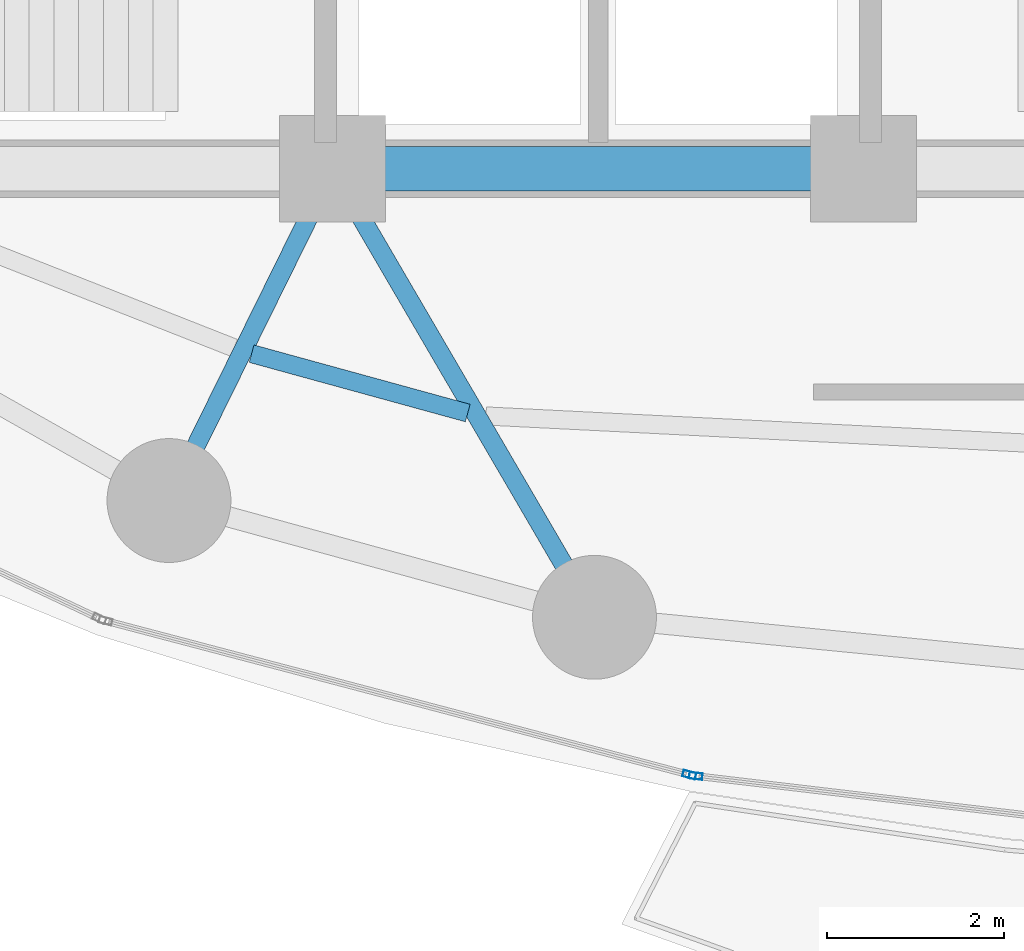
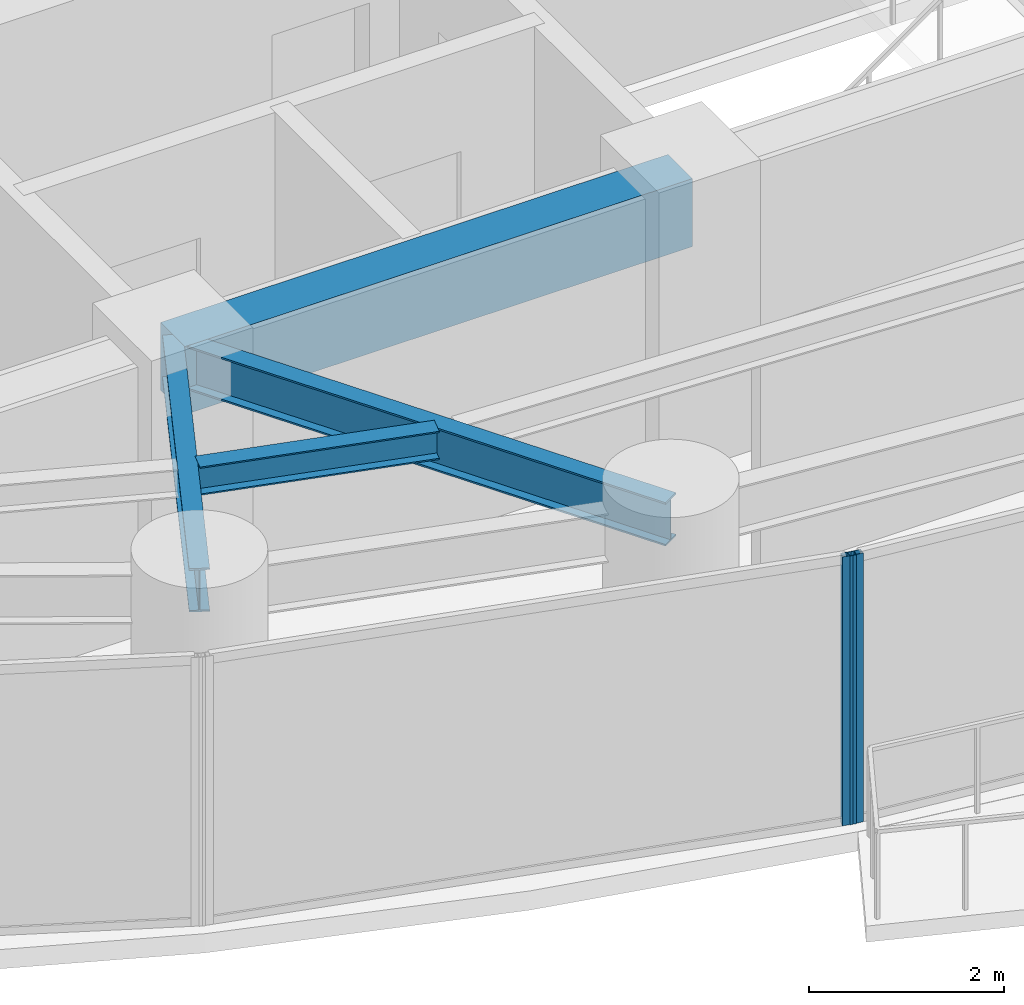
# One storey, part 5 of 31: 4 beams, 2 members, 2 elements without a shape of their own.
"""IFC4 building model written with IfcOpenShell, lengths in metres."""

import ifcopenshell
import ifcopenshell.guid

model = None  # the IFC model being written
_history = None  # IfcOwnerHistory: only IFC2X3 demands one
_inside = {}  # id of a spatial element -> (the spatial element, [elements in it])
_under = {}  # id of a project, library or spatial element -> (it, [spatial elements below it])
_declared = {}  # id of a project -> (the project, [libraries it declares])
_typed = {}  # id of a type object -> (the type object, [elements of that type])
_made_of = {}  # id of a material, layer set ... -> (it, [elements and type objects made of it])


def new_model(schema):
    """Start an empty IFC model of exactly this schema.

    Asked for "IFC4X3", IfcOpenShell would pick the latest addendum, in which some entities
    have other attributes; the version numbers below select the first issue.
    IFC2X3 requires an IfcOwnerHistory on every rooted entity: one is made here for all.
    """
    global model, _history
    if schema == "IFC4X3":
        model = ifcopenshell.file(schema_version=(4, 3, 0, 0))
    else:
        model = ifcopenshell.file(schema=schema)
    _inside.clear()
    _under.clear()
    _declared.clear()
    _typed.clear()
    _made_of.clear()
    _history = None
    if model.schema == "IFC2X3":
        org = make("IfcOrganization", Name="unknown")
        user = make(
            "IfcPersonAndOrganization",
            ThePerson=make("IfcPerson", FamilyName="unknown"),
            TheOrganization=org,
        )
        app = make(
            "IfcApplication",
            ApplicationDeveloper=org,
            Version="unknown",
            ApplicationFullName="unknown",
            ApplicationIdentifier="unknown",
        )
        _history = make(
            "IfcOwnerHistory",
            OwningUser=user,
            OwningApplication=app,
            ChangeAction="ADDED",
            CreationDate=0,
        )
    return model


def make(cls, **values):
    """One entity of the class cls with the attributes given. An attribute that is None is left unset."""
    return model.create_entity(
        cls, **{name: value for name, value in values.items() if value is not None}
    )


def rooted(cls, **values):
    """An entity with a GlobalId (a new one), such as an element, a storey or a relation."""
    return make(cls, GlobalId=ifcopenshell.guid.new(), OwnerHistory=_history, **values)


def si_unit(unit_type, name, prefix=None):
    """IfcSIUnit, for example si_unit("LENGTHUNIT", "METRE", prefix="MILLI")."""
    return make("IfcSIUnit", UnitType=unit_type, Prefix=prefix, Name=name)


def assignment(units):
    """IfcUnitAssignment: the units of a project."""
    return None if units is None else make("IfcUnitAssignment", Units=units)


def point(xyz):
    """IfcCartesianPoint."""
    return None if xyz is None else make("IfcCartesianPoint", Coordinates=xyz)


def direction(xyz):
    """IfcDirection."""
    return None if xyz is None else make("IfcDirection", DirectionRatios=xyz)


def frame(location, z_axis=None, x_axis=None):
    """IfcAxis2Placement3D, a coordinate frame: its origin and axes. An axis left out is left unset."""
    return make(
        "IfcAxis2Placement3D",
        Location=point(location),
        Axis=direction(z_axis),
        RefDirection=direction(x_axis),
    )


def frame_2d(location, x_axis=None):
    """IfcAxis2Placement2D, a coordinate frame in the plane: its origin and x axis."""
    return make(
        "IfcAxis2Placement2D", Location=point(location), RefDirection=direction(x_axis)
    )


def origin():
    """The frame at (0, 0, 0) with its axes left unset."""
    return frame((0.0, 0.0, 0.0))


def origin_2d():
    """The frame at (0, 0) in the plane with its x axis left unset."""
    return frame_2d((0.0, 0.0))


def place(relative_to, where):
    """IfcLocalPlacement: puts the frame where relative to a parent placement (None: the world)."""
    return make(
        "IfcLocalPlacement", PlacementRelTo=relative_to, RelativePlacement=where
    )


def context(
    kind, dimensions, precision=None, world=None, true_north=None, identifier=None
):
    """IfcGeometricRepresentationContext, for example the 3D "Model" context."""
    return make(
        "IfcGeometricRepresentationContext",
        ContextIdentifier=identifier,
        ContextType=kind,
        CoordinateSpaceDimension=dimensions,
        Precision=precision,
        WorldCoordinateSystem=world,
        TrueNorth=true_north,
    )


def subcontext(parent, identifier, kind, view, scale=None):
    """IfcGeometricRepresentationSubContext, for example "Body" below "Model"."""
    return make(
        "IfcGeometricRepresentationSubContext",
        ContextIdentifier=identifier,
        ContextType=kind,
        ParentContext=parent,
        TargetScale=scale,
        TargetView=view,
    )


def project(units=None, contexts=None):
    """IfcProject with its units and contexts."""
    return rooted(
        "IfcProject",
        Name="project",
        RepresentationContexts=contexts,
        UnitsInContext=assignment(units),
    )


def spatial(cls, under=None, at=None, **own):
    """A site, building, storey or space (cls), placed at a placement, below another one or the project."""
    s = rooted(cls, ObjectPlacement=at, **own)
    if under is not None:
        _under.setdefault(under.id(), (under, []))[1].append(s)
    return s


def profile(cls, at=None, kind="AREA", **sizes):
    """A parametric profile (cls). Its sizes go by their IFC names, for example OverallWidth=200.0."""
    return make(cls, ProfileType=kind, Position=at, **sizes)


def rectangle(**sizes):
    """IfcRectangleProfileDef."""
    return profile("IfcRectangleProfileDef", **sizes)


def hollow_rectangle(**sizes):
    """IfcRectangleHollowProfileDef."""
    return profile("IfcRectangleHollowProfileDef", **sizes)


def i_section(**sizes):
    """IfcIShapeProfileDef."""
    return profile("IfcIShapeProfileDef", **sizes)


def extrude(swept, where, along, depth):
    """IfcExtrudedAreaSolid: the profile swept, set in the frame where, extruded along a direction by depth."""
    return make(
        "IfcExtrudedAreaSolid",
        SweptArea=swept,
        Position=where,
        ExtrudedDirection=direction(along),
        Depth=depth,
    )


def shape(context_of_items, identifier, shape_type, items):
    """IfcShapeRepresentation: the items that make up one representation, for example the "Body"."""
    return make(
        "IfcShapeRepresentation",
        ContextOfItems=context_of_items,
        RepresentationIdentifier=identifier,
        RepresentationType=shape_type,
        Items=items,
    )


def material(Name=None, Category=None):
    """IfcMaterial."""
    return make("IfcMaterial", Name=Name, Category=Category)


def layer(
    of_material, thickness, ventilated=None, Name=None, Category=None, Priority=None
):
    """IfcMaterialLayer: one layer of a wall or slab, of a material (None: an air gap)."""
    return make(
        "IfcMaterialLayer",
        Material=of_material,
        LayerThickness=thickness,
        IsVentilated=ventilated,
        Name=Name,
        Category=Category,
        Priority=Priority,
    )


def layer_set(layers, Name=None):
    """IfcMaterialLayerSet."""
    return make("IfcMaterialLayerSet", MaterialLayers=layers, LayerSetName=Name)


def material_profile(
    of_material, cross_section, Name=None, Category=None, Priority=None
):
    """IfcMaterialProfile: a cross section and its material."""
    return make(
        "IfcMaterialProfile",
        Name=Name,
        Material=of_material,
        Profile=cross_section,
        Priority=Priority,
        Category=Category,
    )


def profile_set(profiles, Name=None, composite=None):
    """IfcMaterialProfileSet."""
    return make(
        "IfcMaterialProfileSet",
        Name=Name,
        MaterialProfiles=profiles,
        CompositeProfile=composite,
    )


def made_of(thing, what):
    """Note that an element or type object is made of a material, layer set ...; save() writes the relation."""
    if what is not None:
        _made_of.setdefault(what.id(), (what, []))[1].append(thing)
    return thing


def type_object(cls, material=None, **own):
    """A type object (cls), such as IfcWallType, which elements share."""
    return made_of(rooted(cls, **own), material)


def element(
    cls,
    number,
    at=None,
    inside=None,
    cuts=None,
    type_object=None,
    material=None,
    context=None,
    identifier="Body",
    shape_type=None,
    held_by="IfcProductDefinitionShape",
    body=None,
    shapes=None,
    **own,
):
    """One element of the class cls, such as IfcWall. Its Tag is "e" and its number.

    at: its placement. inside: the storey or other place that contains it. cuts: it is an
    opening in that element (IfcRelVoidsElement). A single representation is given by context,
    identifier, shape_type and body (its items); several are given by shapes. held_by: the class
    of the entity that holds the representations. save() writes the other relations.
    """
    e = rooted(cls, Tag="e%d" % number, ObjectPlacement=at, **own)
    if body is not None:
        shapes = [shape(context, identifier, shape_type, body)]
    if shapes is not None:
        e.Representation = make(held_by, Representations=shapes)
    if inside is not None:
        _inside.setdefault(inside.id(), (inside, []))[1].append(e)
    if cuts is not None:
        rooted(
            "IfcRelVoidsElement", RelatingBuildingElement=cuts, RelatedOpeningElement=e
        )
    if type_object is not None:
        _typed.setdefault(type_object.id(), (type_object, []))[1].append(e)
    return made_of(e, material)


def aggregate(whole, parts):
    """IfcRelAggregates: a whole, such as a stair, and the parts it consists of."""
    return rooted("IfcRelAggregates", RelatingObject=whole, RelatedObjects=parts)


def save(model, path):
    """Write the relations noted so far, then the file.

    IfcRelAggregates (storeys below a building ...), IfcRelContainedInSpatialStructure (elements
    in a storey), IfcRelDefinesByType, IfcRelAssociatesMaterial and IfcRelDeclares: one each for
    every whole, place, type object, material and project.
    """
    for whole, parts in _under.values():
        aggregate(whole, parts)
    for where, things in _inside.values():
        rooted(
            "IfcRelContainedInSpatialStructure",
            RelatedElements=things,
            RelatingStructure=where,
        )
    for kind, things in _typed.values():
        rooted("IfcRelDefinesByType", RelatedObjects=things, RelatingType=kind)
    for what, things in _made_of.values():
        rooted("IfcRelAssociatesMaterial", RelatedObjects=things, RelatingMaterial=what)
    for by, libraries in _declared.values():
        rooted("IfcRelDeclares", RelatingContext=by, RelatedDefinitions=libraries)
    model.write(path)


model = new_model("IFC4")

# Units and contexts
model_context = context("Model", 3, precision=1e-05, world=origin(), true_north=direction((0.0, 1.0)))
body_context = subcontext(model_context, "Body", "Model", "MODEL_VIEW")
ifc_project = project(units=[si_unit("LENGTHUNIT", "METRE"), si_unit("AREAUNIT", "SQUARE_METRE"), si_unit("VOLUMEUNIT", "CUBIC_METRE"), si_unit("PLANEANGLEUNIT", "RADIAN"), si_unit("MASSUNIT", "GRAM", prefix="KILO")], contexts=[model_context])

# Site, building, storey
site_placement = place(None, origin())
site = spatial("IfcSite", under=ifc_project, at=site_placement, CompositionType="ELEMENT")
building_placement = place(site_placement, origin())
building = spatial("IfcBuilding", under=site, at=building_placement, Name="Kazevale Care Tower and Concert Hall", CompositionType="ELEMENT")
storey_placement = place(building_placement, frame((0.0, 0.0, 78.0)))
storey = spatial("IfcBuildingStorey", under=building, at=storey_placement, Name="L20", CompositionType="ELEMENT", Elevation=78.0)

# Curtain wall, member
ifc_material_1 = material(Name="Aluminium 6063-T6 and Low-E Glass", Category="aluminium")
ifc_layer = layer(ifc_material_1, 0.179931640625)
ifc_layer_set = layer_set([ifc_layer], Name="Aluminium 6063-T6 and Low-E Glass")
curtain_wall_type = type_object("IfcCurtainWallType", Name="Sheltered Concave Balcony Curtain Wall CW-5", PredefinedType="NOTDEFINED", material=ifc_layer_set)
curtain_wall_1_placement = place(storey_placement, origin())
curtain_wall_1 = element("IfcCurtainWall", 1, at=curtain_wall_1_placement, inside=storey, type_object=curtain_wall_type, Name="cw:L20:f07", PredefinedType="NOTDEFINED")
ifc_material_2 = material(Name="Aluminium 6063-T6", Category="aluminium")
ifc_material_profile_1 = material_profile(ifc_material_2, hollow_rectangle(XDim=0.074951171875, YDim=0.14990234375, WallThickness=0.00390625, at=origin_2d()), Name="ALU75x150x4")
ifc_profile_set_1 = profile_set([ifc_material_profile_1], Name="Aluminium 6063-T6")
member_type = type_object("IfcMemberType", Name="CW-5 Mullion ALU75x150x4", PredefinedType="MULLION", material=ifc_profile_set_1)
member_1_placement = place(storey_placement, frame((34.105224609375, 16.736572265625, 0.0), z_axis=(0.0, 0.0, 1.0), x_axis=(-0.117519084253, -0.993070624294, 0.0)))
member_1 = element("IfcMember", 2, at=member_1_placement, type_object=member_type, Name="CW-5 mullion 2", PredefinedType="MULLION", context=body_context, shape_type="SweptSolid", body=[
    extrude(hollow_rectangle(XDim=0.074951171875, YDim=0.14990234375, WallThickness=0.00390625, at=origin_2d()), origin(), (0.0, 0.0, 1.0), 3.360107421875),
])
aggregate(curtain_wall_1, [member_1])

curtain_wall_2_placement = place(storey_placement, origin())
curtain_wall_2 = element("IfcCurtainWall", 3, at=curtain_wall_2_placement, inside=storey, type_object=curtain_wall_type, Name="cw:L20:f08", PredefinedType="NOTDEFINED")
member_2_placement = place(storey_placement, frame((34.03173828125, 16.75048828125, 0.0), z_axis=(0.0, 0.0, 1.0), x_axis=(-0.254828630267, -0.966986230097, 0.0)))
member_2 = element("IfcMember", 4, at=member_2_placement, type_object=member_type, Name="CW-5 mullion 1", PredefinedType="MULLION", context=body_context, shape_type="SweptSolid", body=[
    extrude(hollow_rectangle(XDim=0.074951171875, YDim=0.14990234375, WallThickness=0.00390625, at=origin_2d()), origin(), (0.0, 0.0, 1.0), 3.360107421875),
])
aggregate(curtain_wall_2, [member_2])

# Beams
ifc_material_3 = material(Name="Concrete C60", Category="concrete")
ifc_material_profile_2 = material_profile(ifc_material_3, rectangle(XDim=0.5, YDim=0.85009765625, at=origin_2d()), Name="RC-B500x850")
ifc_profile_set_2 = profile_set([ifc_material_profile_2], Name="Concrete C60")
beam_type_1 = type_object("IfcBeamType", Name="Core Coupling Beam RC500x850", PredefinedType="LINTEL", material=ifc_profile_set_2)
beam_1_placement = place(storey_placement, frame((30.0, 23.60009765625, 2.93505859375), z_axis=(1.0, 0.0, 0.0), x_axis=(0.0, 1.0, 0.0)))
element("IfcBeam", 5, at=beam_1_placement, inside=storey, type_object=beam_type_1, Name="beam:L20:coretie:2", PredefinedType="LINTEL", context=body_context, shape_type="SweptSolid", body=[
    extrude(rectangle(XDim=0.5, YDim=0.85009765625, at=origin_2d()), origin(), (0.0, 0.0, 1.0), 6.0),
])
ifc_material_4 = material(Name="Steel ASTM A572 Gr 50", Category="steel")
ifc_material_profile_3 = material_profile(ifc_material_4, i_section(OverallWidth=0.2119140625, OverallDepth=0.5439453125, WebThickness=0.01318359375, FlangeThickness=0.021240234375, at=origin_2d()), Name="W530x123")
ifc_profile_set_3 = profile_set([ifc_material_profile_3], Name="Steel ASTM A572 Gr 50")
beam_type_2 = type_object("IfcBeamType", Name="Radial Floor Girder W530x123", PredefinedType="BEAM", material=ifc_profile_set_3)
beam_2_placement = place(storey_placement, frame((30.0, 23.60009765625, 3.087890625), z_axis=(-0.442443019162, -0.896796618412, 0.0), x_axis=(0.896796618412, -0.442443019162, 0.0)))
element("IfcBeam", 6, at=beam_2_placement, inside=storey, type_object=beam_type_2, Name="beam:L20:rad:11", PredefinedType="BEAM", context=body_context, shape_type="SweptSolid", body=[
    extrude(i_section(OverallWidth=0.2119140625, OverallDepth=0.5439453125, WebThickness=0.01318359375, FlangeThickness=0.021240234375, at=origin_2d()), origin(), (0.0, 0.0, 1.0), 4.181640625),
])
beam_3_placement = place(storey_placement, frame((30.0, 23.60009765625, 3.087890625), z_axis=(0.50417868077, -0.86359936189, 0.0), x_axis=(0.86359936189, 0.50417868077, 0.0)))
element("IfcBeam", 7, at=beam_3_placement, inside=storey, type_object=beam_type_2, Name="beam:L20:rad:12", PredefinedType="BEAM", context=body_context, shape_type="SweptSolid", body=[
    extrude(i_section(OverallWidth=0.2119140625, OverallDepth=0.5439453125, WebThickness=0.01318359375, FlangeThickness=0.021240234375, at=origin_2d()), origin(), (0.0, 0.0, 1.0), 5.870849609375),
])
ifc_material_profile_4 = material_profile(ifc_material_4, i_section(OverallWidth=0.205078125, OverallDepth=0.35400390625, WebThickness=0.009521484375, FlangeThickness=0.016845703125, at=origin_2d()), Name="W360x79")
ifc_profile_set_4 = profile_set([ifc_material_profile_4], Name="Steel ASTM A572 Gr 50")
beam_type_3 = type_object("IfcBeamType", Name="Secondary Floor Joist W360x79", PredefinedType="JOIST", material=ifc_profile_set_4)
beam_4_placement = place(storey_placement, frame((29.083984375, 21.510009765625, 3.18310546875), z_axis=(0.964302027389, -0.264804833743, 0.0), x_axis=(0.264804833743, 0.964302027389, 0.0)))
element("IfcBeam", 8, at=beam_4_placement, inside=storey, type_object=beam_type_3, Name="beam:L20:joist:11", PredefinedType="JOIST", context=body_context, shape_type="SweptSolid", body=[
    extrude(i_section(OverallWidth=0.205078125, OverallDepth=0.35400390625, WebThickness=0.009521484375, FlangeThickness=0.016845703125, at=origin_2d()), origin(), (0.0, 0.0, 1.0), 2.533447265625),
])

save(model, "model.ifc")
